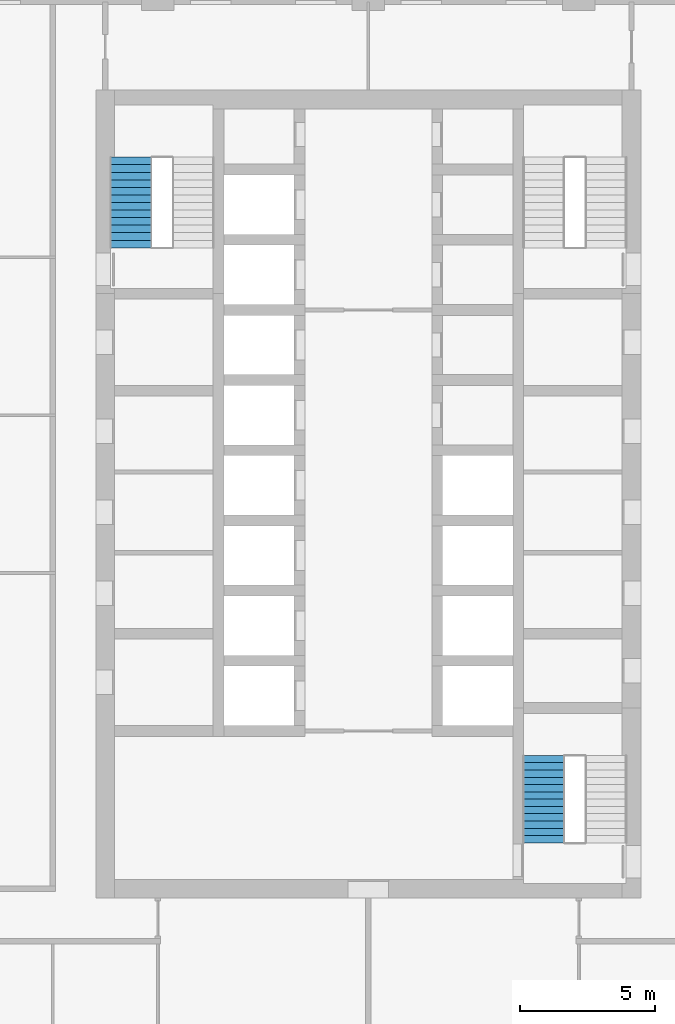
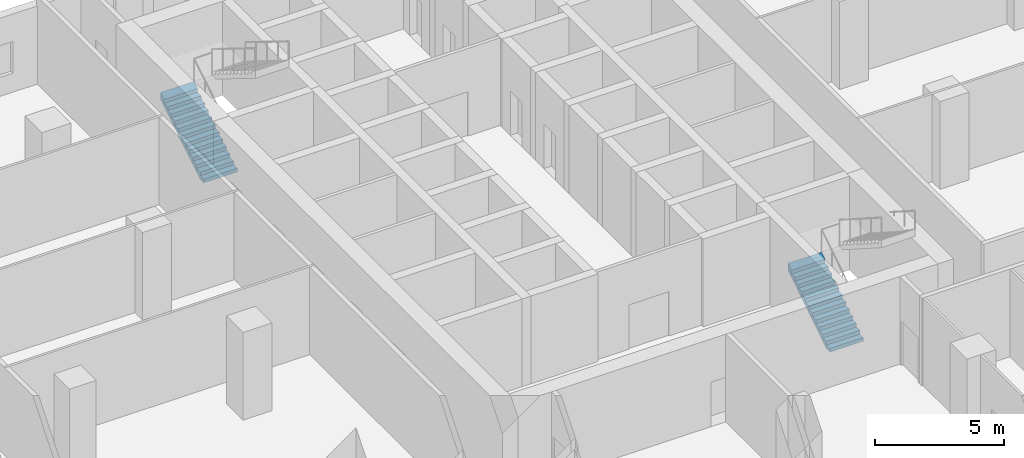
# One storey, part 16 of 23: 2 stair flights, 2 elements without a shape of their own.
"""IFC4 building model written with IfcOpenShell, lengths in metres."""

from ifc_helpers import new_model, si_unit, direction, frame, origin, place, context, subcontext, project, spatial, triangles, material, type_object, element, aggregate, save


model = new_model("IFC4")

# Units and contexts
model_context = context("Model", 3, precision=1e-05, world=origin(), true_north=direction((0.0, 1.0)))
body_context = subcontext(model_context, "Body", "Model", "MODEL_VIEW")
ifc_project = project(units=[si_unit("LENGTHUNIT", "METRE"), si_unit("AREAUNIT", "SQUARE_METRE"), si_unit("VOLUMEUNIT", "CUBIC_METRE"), si_unit("PLANEANGLEUNIT", "RADIAN"), si_unit("MASSUNIT", "GRAM", prefix="KILO")], contexts=[model_context])

# Site, building, storey
site_placement = place(None, origin())
site = spatial("IfcSite", under=ifc_project, at=site_placement, CompositionType="ELEMENT")
building_placement = place(site_placement, origin())
building = spatial("IfcBuilding", under=site, at=building_placement, Name="Ludao Terraces", CompositionType="ELEMENT")
storey_placement = place(building_placement, frame((0.0, 0.0, 10.5)))
storey = spatial("IfcBuildingStorey", under=building, at=storey_placement, Name="L02", CompositionType="ELEMENT", Elevation=10.5)

# Stair, stair flight
ifc_material = material(Name="Concrete C40", Category="concrete")
stair_type = type_object("IfcStairType", Name="INT Stair", PredefinedType="HALF_TURN_STAIR", material=ifc_material)
stair_1_placement = place(storey_placement, origin())
stair_1 = element("IfcStair", 1, at=stair_1_placement, inside=storey, type_object=stair_type, Name="EXIT STAIR 1", PredefinedType="HALF_TURN_STAIR")
stair_flight_type = type_object("IfcStairFlightType", Name="INT Stair flight", PredefinedType="STRAIGHT", material=ifc_material)
stair_flight_1_placement = place(storey_placement, frame((76.199951171875, 79.0, 0.0), z_axis=(0.0, 0.0, 1.0), x_axis=(0.0, 1.0, 0.0)))
stair_flight_1 = element("IfcStairFlight", 2, at=stair_flight_1_placement, type_object=stair_flight_type, Name="ST1 flight 1", NumberOfRisers=13, NumberOfTreads=12, PredefinedType="STRAIGHT", RiserHeight=0.173077, TreadLength=0.28, context=body_context, shape_type="Tessellation", body=[
    triangles([(0.0, -0.75, 0.0), (0.0, -0.5, 0.0), (0.0, -0.25, 0.0), (0.0, 0.0, 0.0), (0.0, 0.25, 0.0), (0.0, 0.5, 0.0), (0.0, 0.75, 0.0), (0.0, -0.75, 0.173095703125), (0.0, -0.5, 0.173095703125), (0.0, -0.25, 0.173095703125), (0.0, 0.0, 0.173095703125), (0.0, 0.25, 0.173095703125), (0.0, 0.5, 0.173095703125), (0.0, 0.75, 0.173095703125), (0.280029296875, -0.75, 0.173095703125), (0.280029296875, -0.5, 0.173095703125), (0.280029296875, -0.25, 0.173095703125), (0.280029296875, 0.0, 0.173095703125), (0.280029296875, 0.25, 0.173095703125), (0.280029296875, 0.5, 0.173095703125), (0.280029296875, 0.75, 0.173095703125), (0.280029296875, -0.75, 0.34619140625), (0.280029296875, -0.5, 0.34619140625), (0.280029296875, -0.25, 0.34619140625), (0.280029296875, 0.0, 0.34619140625), (0.280029296875, 0.25, 0.34619140625), (0.280029296875, 0.5, 0.34619140625), (0.280029296875, 0.75, 0.34619140625), (0.56005859375, -0.75, 0.34619140625), (0.56005859375, -0.5, 0.34619140625), (0.56005859375, -0.25, 0.34619140625), (0.56005859375, 0.0, 0.34619140625), (0.56005859375, 0.25, 0.34619140625), (0.56005859375, 0.5, 0.34619140625), (0.56005859375, 0.75, 0.34619140625), (0.56005859375, -0.75, 0.519287109375), (0.56005859375, -0.5, 0.519287109375), (0.56005859375, -0.25, 0.519287109375), (0.56005859375, 0.0, 0.519287109375), (0.56005859375, 0.25, 0.519287109375), (0.56005859375, 0.5, 0.519287109375), (0.56005859375, 0.75, 0.519287109375), (0.840087890625, -0.75, 0.519287109375), (0.840087890625, -0.5, 0.519287109375), (0.840087890625, -0.25, 0.519287109375), (0.840087890625, 0.0, 0.519287109375), (0.840087890625, 0.25, 0.519287109375), (0.840087890625, 0.5, 0.519287109375), (0.840087890625, 0.75, 0.519287109375), (0.840087890625, -0.75, 0.6923828125), (0.840087890625, -0.5, 0.6923828125), (0.840087890625, -0.25, 0.6923828125), (0.840087890625, 0.0, 0.6923828125), (0.840087890625, 0.25, 0.6923828125), (0.840087890625, 0.5, 0.6923828125), (0.840087890625, 0.75, 0.6923828125), (1.1201171875, -0.75, 0.6923828125), (1.1201171875, -0.5, 0.6923828125), (1.1201171875, -0.25, 0.6923828125), (1.1201171875, 0.0, 0.6923828125), (1.1201171875, 0.25, 0.6923828125), (1.1201171875, 0.5, 0.6923828125), (1.1201171875, 0.75, 0.6923828125), (1.1201171875, -0.75, 0.865478515625), (1.1201171875, -0.5, 0.865478515625), (1.1201171875, -0.25, 0.865478515625), (1.1201171875, 0.0, 0.865478515625), (1.1201171875, 0.25, 0.865478515625), (1.1201171875, 0.5, 0.865478515625), (1.1201171875, 0.75, 0.865478515625), (1.39990234375, -0.75, 0.865478515625), (1.39990234375, -0.5, 0.865478515625), (1.39990234375, -0.25, 0.865478515625), (1.39990234375, 0.0, 0.865478515625), (1.39990234375, 0.25, 0.865478515625), (1.39990234375, 0.5, 0.865478515625), (1.39990234375, 0.75, 0.865478515625), (1.39990234375, -0.75, 1.03857421875), (1.39990234375, -0.5, 1.03857421875), (1.39990234375, -0.25, 1.03857421875), (1.39990234375, 0.0, 1.03857421875), (1.39990234375, 0.25, 1.03857421875), (1.39990234375, 0.5, 1.03857421875), (1.39990234375, 0.75, 1.03857421875), (1.679931640625, -0.75, 1.03857421875), (1.679931640625, -0.5, 1.03857421875), (1.679931640625, -0.25, 1.03857421875), (1.679931640625, 0.0, 1.03857421875), (1.679931640625, 0.25, 1.03857421875), (1.679931640625, 0.5, 1.03857421875), (1.679931640625, 0.75, 1.03857421875), (1.679931640625, -0.75, 1.21142578125), (1.679931640625, -0.5, 1.21142578125), (1.679931640625, -0.25, 1.21142578125), (1.679931640625, 0.0, 1.21142578125), (1.679931640625, 0.25, 1.21142578125), (1.679931640625, 0.5, 1.21142578125), (1.679931640625, 0.75, 1.21142578125), (1.9599609375, -0.75, 1.21142578125), (1.9599609375, -0.5, 1.21142578125), (1.9599609375, -0.25, 1.21142578125), (1.9599609375, 0.0, 1.21142578125), (1.9599609375, 0.25, 1.21142578125), (1.9599609375, 0.5, 1.21142578125), (1.9599609375, 0.75, 1.21142578125), (1.9599609375, -0.75, 1.384521484375), (1.9599609375, -0.5, 1.384521484375), (1.9599609375, -0.25, 1.384521484375), (1.9599609375, 0.0, 1.384521484375), (1.9599609375, 0.25, 1.384521484375), (1.9599609375, 0.5, 1.384521484375), (1.9599609375, 0.75, 1.384521484375), (2.239990234375, -0.75, 1.384521484375), (2.239990234375, -0.5, 1.384521484375), (2.239990234375, -0.25, 1.384521484375), (2.239990234375, 0.0, 1.384521484375), (2.239990234375, 0.25, 1.384521484375), (2.239990234375, 0.5, 1.384521484375), (2.239990234375, 0.75, 1.384521484375), (2.239990234375, -0.75, 1.5576171875), (2.239990234375, -0.5, 1.5576171875), (2.239990234375, -0.25, 1.5576171875), (2.239990234375, 0.0, 1.5576171875), (2.239990234375, 0.25, 1.5576171875), (2.239990234375, 0.5, 1.5576171875), (2.239990234375, 0.75, 1.5576171875), (2.52001953125, -0.75, 1.5576171875), (2.52001953125, -0.5, 1.5576171875), (2.52001953125, -0.25, 1.5576171875), (2.52001953125, 0.0, 1.5576171875), (2.52001953125, 0.25, 1.5576171875), (2.52001953125, 0.5, 1.5576171875), (2.52001953125, 0.75, 1.5576171875), (2.52001953125, -0.75, 1.730712890625), (2.52001953125, -0.5, 1.730712890625), (2.52001953125, -0.25, 1.730712890625), (2.52001953125, 0.0, 1.730712890625), (2.52001953125, 0.25, 1.730712890625), (2.52001953125, 0.5, 1.730712890625), (2.52001953125, 0.75, 1.730712890625), (2.800048828125, -0.75, 1.730712890625), (2.800048828125, -0.5, 1.730712890625), (2.800048828125, -0.25, 1.730712890625), (2.800048828125, 0.0, 1.730712890625), (2.800048828125, 0.25, 1.730712890625), (2.800048828125, 0.5, 1.730712890625), (2.800048828125, 0.75, 1.730712890625), (2.800048828125, -0.75, 1.90380859375), (2.800048828125, -0.5, 1.90380859375), (2.800048828125, -0.25, 1.90380859375), (2.800048828125, 0.0, 1.90380859375), (2.800048828125, 0.25, 1.90380859375), (2.800048828125, 0.5, 1.90380859375), (2.800048828125, 0.75, 1.90380859375), (3.080078125, -0.75, 1.90380859375), (3.080078125, -0.5, 1.90380859375), (3.080078125, -0.25, 1.90380859375), (3.080078125, 0.0, 1.90380859375), (3.080078125, 0.25, 1.90380859375), (3.080078125, 0.5, 1.90380859375), (3.080078125, 0.75, 1.90380859375), (3.080078125, -0.75, 2.076904296875), (3.080078125, -0.5, 2.076904296875), (3.080078125, -0.25, 2.076904296875), (3.080078125, 0.0, 2.076904296875), (3.080078125, 0.25, 2.076904296875), (3.080078125, 0.5, 2.076904296875), (3.080078125, 0.75, 2.076904296875), (3.360107421875, -0.75, 2.25), (3.360107421875, -0.5, 2.25), (3.360107421875, -0.25, 2.25), (3.360107421875, 0.0, 2.25), (3.360107421875, 0.25, 2.25), (3.360107421875, 0.5, 2.25), (3.360107421875, 0.75, 2.25), (3.360107421875, -0.75, 1.900634765625), (3.360107421875, -0.5, 1.900634765625), (3.360107421875, -0.25, 1.900634765625), (3.360107421875, 0.0, 1.900634765625), (3.360107421875, 0.25, 1.900634765625), (3.360107421875, 0.5, 1.900634765625), (3.360107421875, 0.75, 1.900634765625), (0.28515625, -0.75, 0.0), (0.28515625, -0.5, 0.0), (0.28515625, -0.25, 0.0), (0.28515625, 0.0, 0.0), (0.28515625, 0.25, 0.0), (0.28515625, 0.5, 0.0), (0.28515625, 0.75, 0.0)], [[1, 183, 176], [7, 182, 189], [176, 169, 162], [182, 168, 175], [176, 162, 155], [182, 161, 168], [176, 155, 148], [182, 154, 161], [176, 148, 141], [182, 147, 154], [141, 134, 127], [147, 133, 140], [176, 141, 127], [182, 133, 147], [127, 120, 113], [133, 119, 126], [176, 127, 113], [182, 119, 133], [113, 106, 99], [119, 105, 112], [176, 113, 99], [182, 105, 119], [1, 176, 99], [7, 105, 182], [99, 92, 85], [105, 91, 98], [85, 78, 71], [91, 77, 84], [99, 85, 71], [105, 77, 91], [71, 64, 57], [77, 63, 70], [99, 71, 57], [105, 63, 77], [57, 50, 43], [63, 49, 56], [99, 57, 43], [105, 49, 63], [43, 36, 29], [49, 35, 42], [99, 43, 29], [105, 35, 49], [29, 22, 15], [35, 21, 28], [99, 29, 15], [105, 21, 35], [1, 99, 15], [7, 21, 105], [15, 8, 1], [21, 7, 14], [1, 9, 2], [1, 8, 9], [2, 10, 3], [2, 9, 10], [3, 11, 4], [3, 10, 11], [4, 12, 5], [4, 11, 12], [5, 13, 6], [5, 12, 13], [6, 14, 7], [6, 13, 14], [8, 16, 9], [8, 15, 16], [9, 17, 10], [9, 16, 17], [10, 18, 11], [10, 17, 18], [11, 19, 12], [11, 18, 19], [12, 20, 13], [12, 19, 20], [13, 21, 14], [13, 20, 21], [15, 23, 16], [15, 22, 23], [16, 24, 17], [16, 23, 24], [17, 25, 18], [17, 24, 25], [18, 26, 19], [18, 25, 26], [19, 27, 20], [19, 26, 27], [20, 28, 21], [20, 27, 28], [22, 30, 23], [22, 29, 30], [23, 31, 24], [23, 30, 31], [24, 32, 25], [24, 31, 32], [25, 33, 26], [25, 32, 33], [26, 34, 27], [26, 33, 34], [27, 35, 28], [27, 34, 35], [29, 37, 30], [29, 36, 37], [30, 38, 31], [30, 37, 38], [31, 39, 32], [31, 38, 39], [32, 40, 33], [32, 39, 40], [33, 41, 34], [33, 40, 41], [34, 42, 35], [34, 41, 42], [36, 44, 37], [36, 43, 44], [37, 45, 38], [37, 44, 45], [38, 46, 39], [38, 45, 46], [39, 47, 40], [39, 46, 47], [40, 48, 41], [40, 47, 48], [41, 49, 42], [41, 48, 49], [43, 51, 44], [43, 50, 51], [44, 52, 45], [44, 51, 52], [45, 53, 46], [45, 52, 53], [46, 54, 47], [46, 53, 54], [47, 55, 48], [47, 54, 55], [48, 56, 49], [48, 55, 56], [50, 58, 51], [50, 57, 58], [51, 59, 52], [51, 58, 59], [52, 60, 53], [52, 59, 60], [53, 61, 54], [53, 60, 61], [54, 62, 55], [54, 61, 62], [55, 63, 56], [55, 62, 63], [57, 65, 58], [57, 64, 65], [58, 66, 59], [58, 65, 66], [59, 67, 60], [59, 66, 67], [60, 68, 61], [60, 67, 68], [61, 69, 62], [61, 68, 69], [62, 70, 63], [62, 69, 70], [64, 72, 65], [64, 71, 72], [65, 73, 66], [65, 72, 73], [66, 74, 67], [66, 73, 74], [67, 75, 68], [67, 74, 75], [68, 76, 69], [68, 75, 76], [69, 77, 70], [69, 76, 77], [71, 79, 72], [71, 78, 79], [72, 80, 73], [72, 79, 80], [73, 81, 74], [73, 80, 81], [74, 82, 75], [74, 81, 82], [75, 83, 76], [75, 82, 83], [76, 84, 77], [76, 83, 84], [78, 86, 79], [78, 85, 86], [79, 87, 80], [79, 86, 87], [80, 88, 81], [80, 87, 88], [81, 89, 82], [81, 88, 89], [82, 90, 83], [82, 89, 90], [83, 91, 84], [83, 90, 91], [85, 93, 86], [85, 92, 93], [86, 94, 87], [86, 93, 94], [87, 95, 88], [87, 94, 95], [88, 96, 89], [88, 95, 96], [89, 97, 90], [89, 96, 97], [90, 98, 91], [90, 97, 98], [92, 100, 93], [92, 99, 100], [93, 101, 94], [93, 100, 101], [94, 102, 95], [94, 101, 102], [95, 103, 96], [95, 102, 103], [96, 104, 97], [96, 103, 104], [97, 105, 98], [97, 104, 105], [99, 107, 100], [99, 106, 107], [100, 108, 101], [100, 107, 108], [101, 109, 102], [101, 108, 109], [102, 110, 103], [102, 109, 110], [103, 111, 104], [103, 110, 111], [104, 112, 105], [104, 111, 112], [106, 114, 107], [106, 113, 114], [107, 115, 108], [107, 114, 115], [108, 116, 109], [108, 115, 116], [109, 117, 110], [109, 116, 117], [110, 118, 111], [110, 117, 118], [111, 119, 112], [111, 118, 119], [113, 121, 114], [113, 120, 121], [114, 122, 115], [114, 121, 122], [115, 123, 116], [115, 122, 123], [116, 124, 117], [116, 123, 124], [117, 125, 118], [117, 124, 125], [118, 126, 119], [118, 125, 126], [120, 128, 121], [120, 127, 128], [121, 129, 122], [121, 128, 129], [122, 130, 123], [122, 129, 130], [123, 131, 124], [123, 130, 131], [124, 132, 125], [124, 131, 132], [125, 133, 126], [125, 132, 133], [127, 135, 128], [127, 134, 135], [128, 136, 129], [128, 135, 136], [129, 137, 130], [129, 136, 137], [130, 138, 131], [130, 137, 138], [131, 139, 132], [131, 138, 139], [132, 140, 133], [132, 139, 140], [134, 142, 135], [134, 141, 142], [135, 143, 136], [135, 142, 143], [136, 144, 137], [136, 143, 144], [137, 145, 138], [137, 144, 145], [138, 146, 139], [138, 145, 146], [139, 147, 140], [139, 146, 147], [141, 149, 142], [141, 148, 149], [142, 150, 143], [142, 149, 150], [143, 151, 144], [143, 150, 151], [144, 152, 145], [144, 151, 152], [145, 153, 146], [145, 152, 153], [146, 154, 147], [146, 153, 154], [148, 156, 149], [148, 155, 156], [149, 157, 150], [149, 156, 157], [150, 158, 151], [150, 157, 158], [151, 159, 152], [151, 158, 159], [152, 160, 153], [152, 159, 160], [153, 161, 154], [153, 160, 161], [155, 163, 156], [155, 162, 163], [156, 164, 157], [156, 163, 164], [157, 165, 158], [157, 164, 165], [158, 166, 159], [158, 165, 166], [159, 167, 160], [159, 166, 167], [160, 168, 161], [160, 167, 168], [162, 170, 163], [162, 169, 170], [163, 171, 164], [163, 170, 171], [164, 172, 165], [164, 171, 172], [165, 173, 166], [165, 172, 173], [166, 174, 167], [166, 173, 174], [167, 175, 168], [167, 174, 175], [169, 177, 170], [169, 176, 177], [170, 178, 171], [170, 177, 178], [171, 179, 172], [171, 178, 179], [172, 180, 173], [172, 179, 180], [173, 181, 174], [173, 180, 181], [174, 182, 175], [174, 181, 182], [176, 184, 177], [176, 183, 184], [177, 185, 178], [177, 184, 185], [178, 186, 179], [178, 185, 186], [179, 187, 180], [179, 186, 187], [180, 188, 181], [180, 187, 188], [181, 189, 182], [181, 188, 189], [183, 2, 184], [183, 1, 2], [184, 3, 185], [184, 2, 3], [185, 4, 186], [185, 3, 4], [186, 5, 187], [186, 4, 5], [187, 6, 188], [187, 5, 6], [188, 7, 189], [188, 6, 7]], closed=True),
])
aggregate(stair_1, [stair_flight_1])

stair_2_placement = place(storey_placement, origin())
stair_2 = element("IfcStair", 3, at=stair_2_placement, inside=storey, type_object=stair_type, Name="EXIT STAIR 3", PredefinedType="HALF_TURN_STAIR")
stair_flight_2_placement = place(storey_placement, frame((91.5, 56.949951171875, 0.0), z_axis=(0.0, 0.0, 1.0), x_axis=(0.0, 1.0, 0.0)))
stair_flight_2 = element("IfcStairFlight", 4, at=stair_flight_2_placement, type_object=stair_flight_type, Name="ST3 flight 1", NumberOfRisers=13, NumberOfTreads=12, PredefinedType="STRAIGHT", RiserHeight=0.173077, TreadLength=0.27, context=body_context, shape_type="Tessellation", body=[
    triangles([(0.0, -0.75, 0.0), (0.0, -0.5, 0.0), (0.0, -0.25, 0.0), (0.0, 0.0, 0.0), (0.0, 0.25, 0.0), (0.0, 0.5, 0.0), (0.0, 0.75, 0.0), (0.0, -0.75, 0.173095703125), (0.0, -0.5, 0.173095703125), (0.0, -0.25, 0.173095703125), (0.0, 0.0, 0.173095703125), (0.0, 0.25, 0.173095703125), (0.0, 0.5, 0.173095703125), (0.0, 0.75, 0.173095703125), (0.27001953125, -0.75, 0.173095703125), (0.27001953125, -0.5, 0.173095703125), (0.27001953125, -0.25, 0.173095703125), (0.27001953125, 0.0, 0.173095703125), (0.27001953125, 0.25, 0.173095703125), (0.27001953125, 0.5, 0.173095703125), (0.27001953125, 0.75, 0.173095703125), (0.27001953125, -0.75, 0.34619140625), (0.27001953125, -0.5, 0.34619140625), (0.27001953125, -0.25, 0.34619140625), (0.27001953125, 0.0, 0.34619140625), (0.27001953125, 0.25, 0.34619140625), (0.27001953125, 0.5, 0.34619140625), (0.27001953125, 0.75, 0.34619140625), (0.5400390625, -0.75, 0.34619140625), (0.5400390625, -0.5, 0.34619140625), (0.5400390625, -0.25, 0.34619140625), (0.5400390625, 0.0, 0.34619140625), (0.5400390625, 0.25, 0.34619140625), (0.5400390625, 0.5, 0.34619140625), (0.5400390625, 0.75, 0.34619140625), (0.5400390625, -0.75, 0.519287109375), (0.5400390625, -0.5, 0.519287109375), (0.5400390625, -0.25, 0.519287109375), (0.5400390625, 0.0, 0.519287109375), (0.5400390625, 0.25, 0.519287109375), (0.5400390625, 0.5, 0.519287109375), (0.5400390625, 0.75, 0.519287109375), (0.81005859375, -0.75, 0.519287109375), (0.81005859375, -0.5, 0.519287109375), (0.81005859375, -0.25, 0.519287109375), (0.81005859375, 0.0, 0.519287109375), (0.81005859375, 0.25, 0.519287109375), (0.81005859375, 0.5, 0.519287109375), (0.81005859375, 0.75, 0.519287109375), (0.81005859375, -0.75, 0.6923828125), (0.81005859375, -0.5, 0.6923828125), (0.81005859375, -0.25, 0.6923828125), (0.81005859375, 0.0, 0.6923828125), (0.81005859375, 0.25, 0.6923828125), (0.81005859375, 0.5, 0.6923828125), (0.81005859375, 0.75, 0.6923828125), (1.080078125, -0.75, 0.6923828125), (1.080078125, -0.5, 0.6923828125), (1.080078125, -0.25, 0.6923828125), (1.080078125, 0.0, 0.6923828125), (1.080078125, 0.25, 0.6923828125), (1.080078125, 0.5, 0.6923828125), (1.080078125, 0.75, 0.6923828125), (1.080078125, -0.75, 0.865478515625), (1.080078125, -0.5, 0.865478515625), (1.080078125, -0.25, 0.865478515625), (1.080078125, 0.0, 0.865478515625), (1.080078125, 0.25, 0.865478515625), (1.080078125, 0.5, 0.865478515625), (1.080078125, 0.75, 0.865478515625), (1.35009765625, -0.75, 0.865478515625), (1.35009765625, -0.5, 0.865478515625), (1.35009765625, -0.25, 0.865478515625), (1.35009765625, 0.0, 0.865478515625), (1.35009765625, 0.25, 0.865478515625), (1.35009765625, 0.5, 0.865478515625), (1.35009765625, 0.75, 0.865478515625), (1.35009765625, -0.75, 1.03857421875), (1.35009765625, -0.5, 1.03857421875), (1.35009765625, -0.25, 1.03857421875), (1.35009765625, 0.0, 1.03857421875), (1.35009765625, 0.25, 1.03857421875), (1.35009765625, 0.5, 1.03857421875), (1.35009765625, 0.75, 1.03857421875), (1.6201171875, -0.75, 1.03857421875), (1.6201171875, -0.5, 1.03857421875), (1.6201171875, -0.25, 1.03857421875), (1.6201171875, 0.0, 1.03857421875), (1.6201171875, 0.25, 1.03857421875), (1.6201171875, 0.5, 1.03857421875), (1.6201171875, 0.75, 1.03857421875), (1.6201171875, -0.75, 1.21142578125), (1.6201171875, -0.5, 1.21142578125), (1.6201171875, -0.25, 1.21142578125), (1.6201171875, 0.0, 1.21142578125), (1.6201171875, 0.25, 1.21142578125), (1.6201171875, 0.5, 1.21142578125), (1.6201171875, 0.75, 1.21142578125), (1.889892578125, -0.75, 1.21142578125), (1.889892578125, -0.5, 1.21142578125), (1.889892578125, -0.25, 1.21142578125), (1.889892578125, 0.0, 1.21142578125), (1.889892578125, 0.25, 1.21142578125), (1.889892578125, 0.5, 1.21142578125), (1.889892578125, 0.75, 1.21142578125), (1.889892578125, -0.75, 1.384521484375), (1.889892578125, -0.5, 1.384521484375), (1.889892578125, -0.25, 1.384521484375), (1.889892578125, 0.0, 1.384521484375), (1.889892578125, 0.25, 1.384521484375), (1.889892578125, 0.5, 1.384521484375), (1.889892578125, 0.75, 1.384521484375), (2.159912109375, -0.75, 1.384521484375), (2.159912109375, -0.5, 1.384521484375), (2.159912109375, -0.25, 1.384521484375), (2.159912109375, 0.0, 1.384521484375), (2.159912109375, 0.25, 1.384521484375), (2.159912109375, 0.5, 1.384521484375), (2.159912109375, 0.75, 1.384521484375), (2.159912109375, -0.75, 1.5576171875), (2.159912109375, -0.5, 1.5576171875), (2.159912109375, -0.25, 1.5576171875), (2.159912109375, 0.0, 1.5576171875), (2.159912109375, 0.25, 1.5576171875), (2.159912109375, 0.5, 1.5576171875), (2.159912109375, 0.75, 1.5576171875), (2.429931640625, -0.75, 1.5576171875), (2.429931640625, -0.5, 1.5576171875), (2.429931640625, -0.25, 1.5576171875), (2.429931640625, 0.0, 1.5576171875), (2.429931640625, 0.25, 1.5576171875), (2.429931640625, 0.5, 1.5576171875), (2.429931640625, 0.75, 1.5576171875), (2.429931640625, -0.75, 1.730712890625), (2.429931640625, -0.5, 1.730712890625), (2.429931640625, -0.25, 1.730712890625), (2.429931640625, 0.0, 1.730712890625), (2.429931640625, 0.25, 1.730712890625), (2.429931640625, 0.5, 1.730712890625), (2.429931640625, 0.75, 1.730712890625), (2.699951171875, -0.75, 1.730712890625), (2.699951171875, -0.5, 1.730712890625), (2.699951171875, -0.25, 1.730712890625), (2.699951171875, 0.0, 1.730712890625), (2.699951171875, 0.25, 1.730712890625), (2.699951171875, 0.5, 1.730712890625), (2.699951171875, 0.75, 1.730712890625), (2.699951171875, -0.75, 1.90380859375), (2.699951171875, -0.5, 1.90380859375), (2.699951171875, -0.25, 1.90380859375), (2.699951171875, 0.0, 1.90380859375), (2.699951171875, 0.25, 1.90380859375), (2.699951171875, 0.5, 1.90380859375), (2.699951171875, 0.75, 1.90380859375), (2.969970703125, -0.75, 1.90380859375), (2.969970703125, -0.5, 1.90380859375), (2.969970703125, -0.25, 1.90380859375), (2.969970703125, 0.0, 1.90380859375), (2.969970703125, 0.25, 1.90380859375), (2.969970703125, 0.5, 1.90380859375), (2.969970703125, 0.75, 1.90380859375), (2.969970703125, -0.75, 2.076904296875), (2.969970703125, -0.5, 2.076904296875), (2.969970703125, -0.25, 2.076904296875), (2.969970703125, 0.0, 2.076904296875), (2.969970703125, 0.25, 2.076904296875), (2.969970703125, 0.5, 2.076904296875), (2.969970703125, 0.75, 2.076904296875), (3.239990234375, -0.75, 2.25), (3.239990234375, -0.5, 2.25), (3.239990234375, -0.25, 2.25), (3.239990234375, 0.0, 2.25), (3.239990234375, 0.25, 2.25), (3.239990234375, 0.5, 2.25), (3.239990234375, 0.75, 2.25), (3.239990234375, -0.75, 1.89892578125), (3.239990234375, -0.5, 1.89892578125), (3.239990234375, -0.25, 1.89892578125), (3.239990234375, 0.0, 1.89892578125), (3.239990234375, 0.25, 1.89892578125), (3.239990234375, 0.5, 1.89892578125), (3.239990234375, 0.75, 1.89892578125), (0.27783203125, -0.75, 0.0), (0.27783203125, -0.5, 0.0), (0.27783203125, -0.25, 0.0), (0.27783203125, 0.0, 0.0), (0.27783203125, 0.25, 0.0), (0.27783203125, 0.5, 0.0), (0.27783203125, 0.75, 0.0)], [[1, 183, 176], [7, 182, 189], [176, 169, 162], [182, 168, 175], [176, 162, 155], [182, 161, 168], [176, 155, 148], [182, 154, 161], [176, 148, 141], [182, 147, 154], [141, 134, 127], [147, 133, 140], [176, 141, 127], [182, 133, 147], [127, 120, 113], [133, 119, 126], [176, 127, 113], [182, 119, 133], [113, 106, 99], [119, 105, 112], [176, 113, 99], [182, 105, 119], [1, 176, 99], [7, 105, 182], [99, 92, 85], [105, 91, 98], [85, 78, 71], [91, 77, 84], [99, 85, 71], [105, 77, 91], [71, 64, 57], [77, 63, 70], [99, 71, 57], [105, 63, 77], [57, 50, 43], [63, 49, 56], [99, 57, 43], [105, 49, 63], [43, 36, 29], [49, 35, 42], [99, 43, 29], [105, 35, 49], [29, 22, 15], [35, 21, 28], [99, 29, 15], [105, 21, 35], [1, 99, 15], [7, 21, 105], [15, 8, 1], [21, 7, 14], [1, 9, 2], [1, 8, 9], [2, 10, 3], [2, 9, 10], [3, 11, 4], [3, 10, 11], [4, 12, 5], [4, 11, 12], [5, 13, 6], [5, 12, 13], [6, 14, 7], [6, 13, 14], [8, 16, 9], [8, 15, 16], [9, 17, 10], [9, 16, 17], [10, 18, 11], [10, 17, 18], [11, 19, 12], [11, 18, 19], [12, 20, 13], [12, 19, 20], [13, 21, 14], [13, 20, 21], [15, 23, 16], [15, 22, 23], [16, 24, 17], [16, 23, 24], [17, 25, 18], [17, 24, 25], [18, 26, 19], [18, 25, 26], [19, 27, 20], [19, 26, 27], [20, 28, 21], [20, 27, 28], [22, 30, 23], [22, 29, 30], [23, 31, 24], [23, 30, 31], [24, 32, 25], [24, 31, 32], [25, 33, 26], [25, 32, 33], [26, 34, 27], [26, 33, 34], [27, 35, 28], [27, 34, 35], [29, 37, 30], [29, 36, 37], [30, 38, 31], [30, 37, 38], [31, 39, 32], [31, 38, 39], [32, 40, 33], [32, 39, 40], [33, 41, 34], [33, 40, 41], [34, 42, 35], [34, 41, 42], [36, 44, 37], [36, 43, 44], [37, 45, 38], [37, 44, 45], [38, 46, 39], [38, 45, 46], [39, 47, 40], [39, 46, 47], [40, 48, 41], [40, 47, 48], [41, 49, 42], [41, 48, 49], [43, 51, 44], [43, 50, 51], [44, 52, 45], [44, 51, 52], [45, 53, 46], [45, 52, 53], [46, 54, 47], [46, 53, 54], [47, 55, 48], [47, 54, 55], [48, 56, 49], [48, 55, 56], [50, 58, 51], [50, 57, 58], [51, 59, 52], [51, 58, 59], [52, 60, 53], [52, 59, 60], [53, 61, 54], [53, 60, 61], [54, 62, 55], [54, 61, 62], [55, 63, 56], [55, 62, 63], [57, 65, 58], [57, 64, 65], [58, 66, 59], [58, 65, 66], [59, 67, 60], [59, 66, 67], [60, 68, 61], [60, 67, 68], [61, 69, 62], [61, 68, 69], [62, 70, 63], [62, 69, 70], [64, 72, 65], [64, 71, 72], [65, 73, 66], [65, 72, 73], [66, 74, 67], [66, 73, 74], [67, 75, 68], [67, 74, 75], [68, 76, 69], [68, 75, 76], [69, 77, 70], [69, 76, 77], [71, 79, 72], [71, 78, 79], [72, 80, 73], [72, 79, 80], [73, 81, 74], [73, 80, 81], [74, 82, 75], [74, 81, 82], [75, 83, 76], [75, 82, 83], [76, 84, 77], [76, 83, 84], [78, 86, 79], [78, 85, 86], [79, 87, 80], [79, 86, 87], [80, 88, 81], [80, 87, 88], [81, 89, 82], [81, 88, 89], [82, 90, 83], [82, 89, 90], [83, 91, 84], [83, 90, 91], [85, 93, 86], [85, 92, 93], [86, 94, 87], [86, 93, 94], [87, 95, 88], [87, 94, 95], [88, 96, 89], [88, 95, 96], [89, 97, 90], [89, 96, 97], [90, 98, 91], [90, 97, 98], [92, 100, 93], [92, 99, 100], [93, 101, 94], [93, 100, 101], [94, 102, 95], [94, 101, 102], [95, 103, 96], [95, 102, 103], [96, 104, 97], [96, 103, 104], [97, 105, 98], [97, 104, 105], [99, 107, 100], [99, 106, 107], [100, 108, 101], [100, 107, 108], [101, 109, 102], [101, 108, 109], [102, 110, 103], [102, 109, 110], [103, 111, 104], [103, 110, 111], [104, 112, 105], [104, 111, 112], [106, 114, 107], [106, 113, 114], [107, 115, 108], [107, 114, 115], [108, 116, 109], [108, 115, 116], [109, 117, 110], [109, 116, 117], [110, 118, 111], [110, 117, 118], [111, 119, 112], [111, 118, 119], [113, 121, 114], [113, 120, 121], [114, 122, 115], [114, 121, 122], [115, 123, 116], [115, 122, 123], [116, 124, 117], [116, 123, 124], [117, 125, 118], [117, 124, 125], [118, 126, 119], [118, 125, 126], [120, 128, 121], [120, 127, 128], [121, 129, 122], [121, 128, 129], [122, 130, 123], [122, 129, 130], [123, 131, 124], [123, 130, 131], [124, 132, 125], [124, 131, 132], [125, 133, 126], [125, 132, 133], [127, 135, 128], [127, 134, 135], [128, 136, 129], [128, 135, 136], [129, 137, 130], [129, 136, 137], [130, 138, 131], [130, 137, 138], [131, 139, 132], [131, 138, 139], [132, 140, 133], [132, 139, 140], [134, 142, 135], [134, 141, 142], [135, 143, 136], [135, 142, 143], [136, 144, 137], [136, 143, 144], [137, 145, 138], [137, 144, 145], [138, 146, 139], [138, 145, 146], [139, 147, 140], [139, 146, 147], [141, 149, 142], [141, 148, 149], [142, 150, 143], [142, 149, 150], [143, 151, 144], [143, 150, 151], [144, 152, 145], [144, 151, 152], [145, 153, 146], [145, 152, 153], [146, 154, 147], [146, 153, 154], [148, 156, 149], [148, 155, 156], [149, 157, 150], [149, 156, 157], [150, 158, 151], [150, 157, 158], [151, 159, 152], [151, 158, 159], [152, 160, 153], [152, 159, 160], [153, 161, 154], [153, 160, 161], [155, 163, 156], [155, 162, 163], [156, 164, 157], [156, 163, 164], [157, 165, 158], [157, 164, 165], [158, 166, 159], [158, 165, 166], [159, 167, 160], [159, 166, 167], [160, 168, 161], [160, 167, 168], [162, 170, 163], [162, 169, 170], [163, 171, 164], [163, 170, 171], [164, 172, 165], [164, 171, 172], [165, 173, 166], [165, 172, 173], [166, 174, 167], [166, 173, 174], [167, 175, 168], [167, 174, 175], [169, 177, 170], [169, 176, 177], [170, 178, 171], [170, 177, 178], [171, 179, 172], [171, 178, 179], [172, 180, 173], [172, 179, 180], [173, 181, 174], [173, 180, 181], [174, 182, 175], [174, 181, 182], [176, 184, 177], [176, 183, 184], [177, 185, 178], [177, 184, 185], [178, 186, 179], [178, 185, 186], [179, 187, 180], [179, 186, 187], [180, 188, 181], [180, 187, 188], [181, 189, 182], [181, 188, 189], [183, 2, 184], [183, 1, 2], [184, 3, 185], [184, 2, 3], [185, 4, 186], [185, 3, 4], [186, 5, 187], [186, 4, 5], [187, 6, 188], [187, 5, 6], [188, 7, 189], [188, 6, 7]], closed=True),
])
aggregate(stair_2, [stair_flight_2])

save(model, "model.ifc")
